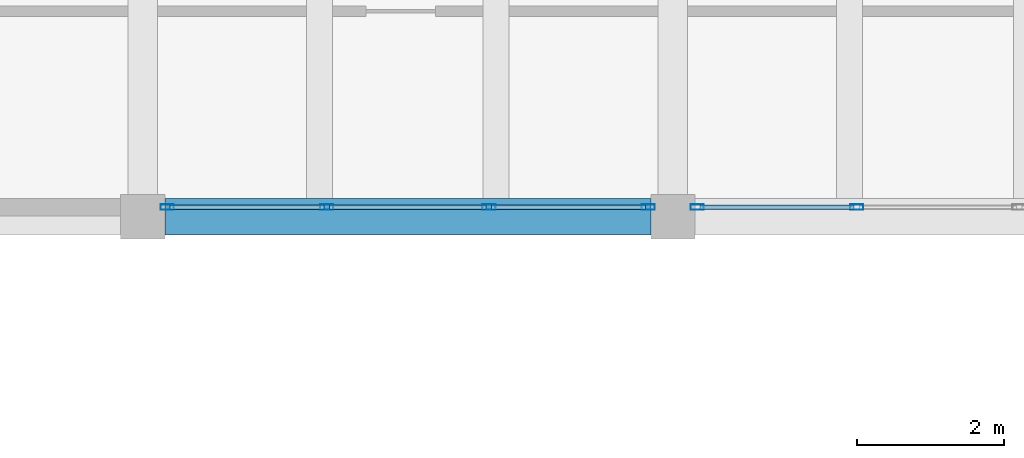
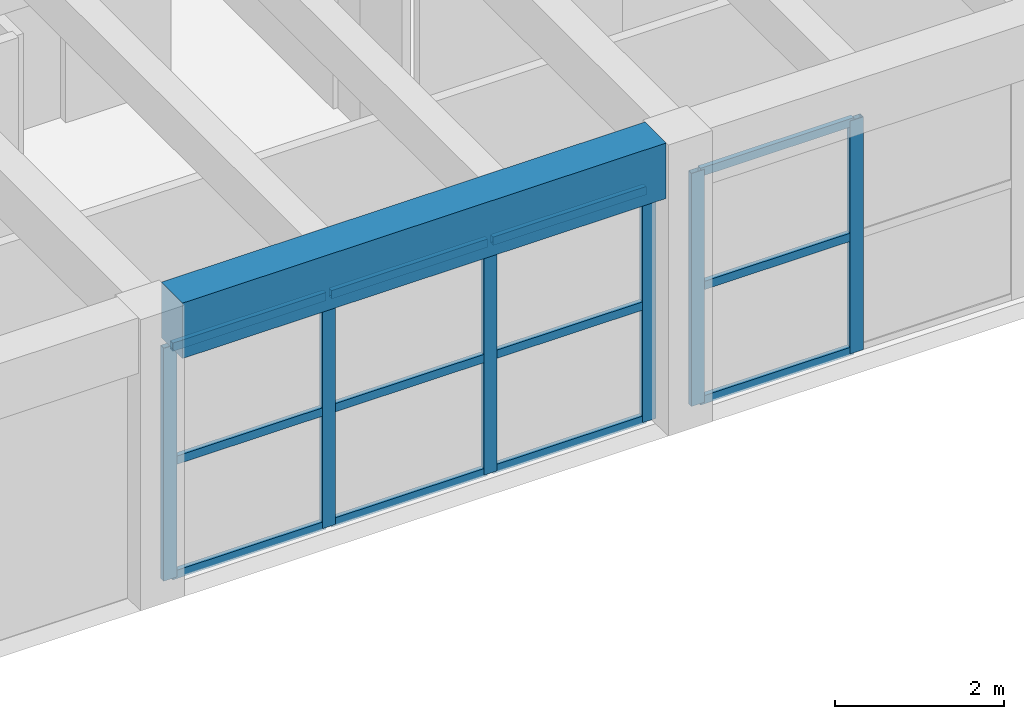
# One storey, part 62 of 153: 18 members, 1 beam, 2 elements without a shape of their own.
"""IFC4 building model written with IfcOpenShell, lengths in metres."""

from ifc_helpers import new_model, si_unit, direction, frame, origin, origin_2d, place, context, subcontext, project, spatial, rectangle, hollow_rectangle, extrude, material, material_profile, profile_set, type_object, element, aggregate, save


model = new_model("IFC4")

# Units and contexts
model_context = context("Model", 3, precision=1e-05, world=origin(), true_north=direction((0.0, 1.0)))
body_context = subcontext(model_context, "Body", "Model", "MODEL_VIEW")
ifc_project = project(units=[si_unit("LENGTHUNIT", "METRE"), si_unit("AREAUNIT", "SQUARE_METRE"), si_unit("VOLUMEUNIT", "CUBIC_METRE"), si_unit("PLANEANGLEUNIT", "RADIAN"), si_unit("MASSUNIT", "GRAM", prefix="KILO")], contexts=[model_context])

# Site, building, storey
site_placement = place(None, origin())
site = spatial("IfcSite", under=ifc_project, at=site_placement, CompositionType="ELEMENT")
building_placement = place(site_placement, origin())
building = spatial("IfcBuilding", under=site, at=building_placement, Name="Bramvelor Terrace Health Centre", CompositionType="ELEMENT")
storey_placement = place(building_placement, frame((0.0, 0.0, 4.800048828125)))
storey = spatial("IfcBuildingStorey", under=building, at=storey_placement, Name="L02", CompositionType="ELEMENT", Elevation=4.800048828125)

# Beam
ifc_material_1 = material(Name="Concrete C40/50", Category="concrete")
ifc_material_profile_1 = material_profile(ifc_material_1, rectangle(XDim=0.5, YDim=0.800048828125, at=origin_2d()), Name="RC 500x800")
ifc_profile_set_1 = profile_set([ifc_material_profile_1], Name="Concrete C40/50")
beam_type = type_object("IfcBeamType", Name="BM-RC-G800", PredefinedType="BEAM", material=ifc_profile_set_1)
beam_placement = place(storey_placement, frame((21.89990234375, 79.199951171875, 3.800048828125), z_axis=(1.0, 0.0, 0.0), x_axis=(0.0, 1.0, 0.0)))
element("IfcBeam", 1, at=beam_placement, inside=storey, type_object=beam_type, Name="L02 Floor Girder", PredefinedType="BEAM", context=body_context, shape_type="SweptSolid", body=[
    extrude(rectangle(XDim=0.5, YDim=0.800048828125, at=origin_2d()), origin(), (0.0, 0.0, 1.0), 6.60009765625),
])

# Curtain wall, members
ifc_material_2 = material(Name="Anodized aluminium and double low-E glass", Category="aluminium")
curtain_wall_type = type_object("IfcCurtainWallType", Name="CW-SYS-12", PredefinedType="NOTDEFINED", material=ifc_material_2)
curtain_wall_1_placement = place(storey_placement, origin())
curtain_wall_1 = element("IfcCurtainWall", 2, at=curtain_wall_1_placement, inside=storey, type_object=curtain_wall_type, Name="L02 Unitized Curtain Wall 73", PredefinedType="NOTDEFINED")
ifc_material_3 = material(Name="Anodized aluminium 6063-T6", Category="aluminium")
ifc_material_profile_2 = material_profile(ifc_material_3, hollow_rectangle(XDim=0.074951171875, YDim=0.179931640625, WallThickness=0.00341796875, at=origin_2d()), Name="ALU-MUL 75x180x3.5")
ifc_profile_set_2 = profile_set([ifc_material_profile_2], Name="Anodized aluminium 6063-T6")
member_type_1 = type_object("IfcMemberType", Name="CW-MUL-65x180", PredefinedType="MULLION", material=ifc_profile_set_2)
member_1_placement = place(storey_placement, frame((31.29833984375, 79.330078125, 0.0), z_axis=(0.0, 0.0, 1.0), x_axis=(0.0, -1.0, 0.0)))
member_1 = element("IfcMember", 3, at=member_1_placement, type_object=member_type_1, Name="CW-12 mullion 3", PredefinedType="MULLION", context=body_context, shape_type="SweptSolid", body=[
    extrude(hollow_rectangle(XDim=0.074951171875, YDim=0.179931640625, WallThickness=0.00341796875, at=origin_2d()), origin(), (0.0, 0.0, 1.0), 3.35986328125),
])
member_2_placement = place(storey_placement, frame((29.132568359375, 79.330078125, 0.0), z_axis=(0.0, 0.0, 1.0), x_axis=(0.0, -1.0, 0.0)))
member_2 = element("IfcMember", 4, at=member_2_placement, type_object=member_type_1, Name="CW-12 mullion 4", PredefinedType="MULLION", context=body_context, shape_type="SweptSolid", body=[
    extrude(hollow_rectangle(XDim=0.074951171875, YDim=0.179931640625, WallThickness=0.00341796875, at=origin_2d()), origin(), (0.0, 0.0, 1.0), 3.35986328125),
])

curtain_wall_2_placement = place(storey_placement, origin())
curtain_wall_2 = element("IfcCurtainWall", 5, at=curtain_wall_2_placement, inside=storey, type_object=curtain_wall_type, Name="L02 Unitized Curtain Wall 74", PredefinedType="NOTDEFINED")
member_3_placement = place(storey_placement, frame((28.467529296875, 79.330078125, 0.0), z_axis=(0.0, 0.0, 1.0), x_axis=(0.0, -1.0, 0.0)))
member_3 = element("IfcMember", 6, at=member_3_placement, type_object=member_type_1, Name="CW-12 mullion 1", PredefinedType="MULLION", context=body_context, shape_type="SweptSolid", body=[
    extrude(hollow_rectangle(XDim=0.074951171875, YDim=0.179931640625, WallThickness=0.00341796875, at=origin_2d()), origin(), (0.0, 0.0, 1.0), 3.35986328125),
])
member_4_placement = place(storey_placement, frame((26.3017578125, 79.330078125, 0.0), z_axis=(0.0, 0.0, 1.0), x_axis=(0.0, -1.0, 0.0)))
member_4 = element("IfcMember", 7, at=member_4_placement, type_object=member_type_1, Name="CW-12 mullion 2", PredefinedType="MULLION", context=body_context, shape_type="SweptSolid", body=[
    extrude(hollow_rectangle(XDim=0.074951171875, YDim=0.179931640625, WallThickness=0.00341796875, at=origin_2d()), origin(), (0.0, 0.0, 1.0), 3.35986328125),
])
member_5_placement = place(storey_placement, frame((24.098388671875, 79.330078125, 0.0), z_axis=(0.0, 0.0, 1.0), x_axis=(0.0, -1.0, 0.0)))
member_5 = element("IfcMember", 8, at=member_5_placement, type_object=member_type_1, Name="CW-12 mullion 3", PredefinedType="MULLION", context=body_context, shape_type="SweptSolid", body=[
    extrude(hollow_rectangle(XDim=0.074951171875, YDim=0.179931640625, WallThickness=0.00341796875, at=origin_2d()), origin(), (0.0, 0.0, 1.0), 3.35986328125),
])
member_6_placement = place(storey_placement, frame((21.9326171875, 79.330078125, 0.0), z_axis=(0.0, 0.0, 1.0), x_axis=(0.0, -1.0, 0.0)))
member_6 = element("IfcMember", 9, at=member_6_placement, type_object=member_type_1, Name="CW-12 mullion 4", PredefinedType="MULLION", context=body_context, shape_type="SweptSolid", body=[
    extrude(hollow_rectangle(XDim=0.074951171875, YDim=0.179931640625, WallThickness=0.00341796875, at=origin_2d()), origin(), (0.0, 0.0, 1.0), 3.35986328125),
])

# Member
ifc_material_4 = material(Name="Anodized aluminium 6063-T6", Category="aluminium")
ifc_material_profile_3 = material_profile(ifc_material_4, hollow_rectangle(XDim=0.06494140625, YDim=0.1201171875, WallThickness=0.0029296875, at=origin_2d()), Name="ALU-TRN 65x120x3.0")
ifc_profile_set_3 = profile_set([ifc_material_profile_3], Name="Anodized aluminium 6063-T6")
member_type_2 = type_object("IfcMemberType", Name="CW-TRN-65x150", PredefinedType="USERDEFINED", material=ifc_profile_set_3)
member_7_placement = place(storey_placement, frame((31.2607421875, 79.330078125, 0.032470703125), z_axis=(-1.0, 0.0, 0.0), x_axis=(0.0, -1.0, 0.0)))
member_7 = element("IfcMember", 10, at=member_7_placement, type_object=member_type_2, Name="CW-12 transom 3.1", ObjectType="TRANSOM", PredefinedType="USERDEFINED", context=body_context, shape_type="SweptSolid", body=[
    extrude(hollow_rectangle(XDim=0.06494140625, YDim=0.1201171875, WallThickness=0.0029296875, at=origin_2d()), origin(), (0.0, 0.0, 1.0), 2.0908203125),
])

member_8_placement = place(storey_placement, frame((31.2607421875, 79.330078125, 1.679931640625), z_axis=(-1.0, 0.0, 0.0), x_axis=(0.0, -1.0, 0.0)))
member_8 = element("IfcMember", 11, at=member_8_placement, type_object=member_type_2, Name="CW-12 transom 3.2", ObjectType="TRANSOM", PredefinedType="USERDEFINED", context=body_context, shape_type="SweptSolid", body=[
    extrude(hollow_rectangle(XDim=0.06494140625, YDim=0.1201171875, WallThickness=0.0029296875, at=origin_2d()), origin(), (0.0, 0.0, 1.0), 2.0908203125),
])

member_9_placement = place(storey_placement, frame((31.2607421875, 79.330078125, 3.327392578125), z_axis=(-1.0, 0.0, 0.0), x_axis=(0.0, -1.0, 0.0)))
member_9 = element("IfcMember", 12, at=member_9_placement, type_object=member_type_2, Name="CW-12 transom 3.3", ObjectType="TRANSOM", PredefinedType="USERDEFINED", context=body_context, shape_type="SweptSolid", body=[
    extrude(hollow_rectangle(XDim=0.06494140625, YDim=0.1201171875, WallThickness=0.0029296875, at=origin_2d()), origin(), (0.0, 0.0, 1.0), 2.0908203125),
])

aggregate(curtain_wall_1, [member_1, member_2, member_7, member_8, member_9])

member_10_placement = place(storey_placement, frame((28.429931640625, 79.330078125, 0.032470703125), z_axis=(-1.0, 0.0, 0.0), x_axis=(0.0, -1.0, 0.0)))
member_10 = element("IfcMember", 13, at=member_10_placement, type_object=member_type_2, Name="CW-12 transom 1.1", ObjectType="TRANSOM", PredefinedType="USERDEFINED", context=body_context, shape_type="SweptSolid", body=[
    extrude(hollow_rectangle(XDim=0.06494140625, YDim=0.1201171875, WallThickness=0.0029296875, at=origin_2d()), origin(), (0.0, 0.0, 1.0), 2.0908203125),
])

member_11_placement = place(storey_placement, frame((28.429931640625, 79.330078125, 1.679931640625), z_axis=(-1.0, 0.0, 0.0), x_axis=(0.0, -1.0, 0.0)))
member_11 = element("IfcMember", 14, at=member_11_placement, type_object=member_type_2, Name="CW-12 transom 1.2", ObjectType="TRANSOM", PredefinedType="USERDEFINED", context=body_context, shape_type="SweptSolid", body=[
    extrude(hollow_rectangle(XDim=0.06494140625, YDim=0.1201171875, WallThickness=0.0029296875, at=origin_2d()), origin(), (0.0, 0.0, 1.0), 2.0908203125),
])

member_12_placement = place(storey_placement, frame((28.429931640625, 79.330078125, 3.327392578125), z_axis=(-1.0, 0.0, 0.0), x_axis=(0.0, -1.0, 0.0)))
member_12 = element("IfcMember", 15, at=member_12_placement, type_object=member_type_2, Name="CW-12 transom 1.3", ObjectType="TRANSOM", PredefinedType="USERDEFINED", context=body_context, shape_type="SweptSolid", body=[
    extrude(hollow_rectangle(XDim=0.06494140625, YDim=0.1201171875, WallThickness=0.0029296875, at=origin_2d()), origin(), (0.0, 0.0, 1.0), 2.0908203125),
])

member_13_placement = place(storey_placement, frame((26.26416015625, 79.330078125, 0.032470703125), z_axis=(-1.0, 0.0, 0.0), x_axis=(0.0, -1.0, 0.0)))
member_13 = element("IfcMember", 16, at=member_13_placement, type_object=member_type_2, Name="CW-12 transom 2.1", ObjectType="TRANSOM", PredefinedType="USERDEFINED", context=body_context, shape_type="SweptSolid", body=[
    extrude(hollow_rectangle(XDim=0.06494140625, YDim=0.1201171875, WallThickness=0.0029296875, at=origin_2d()), origin(), (0.0, 0.0, 1.0), 2.12841796875),
])

member_14_placement = place(storey_placement, frame((26.26416015625, 79.330078125, 1.679931640625), z_axis=(-1.0, 0.0, 0.0), x_axis=(0.0, -1.0, 0.0)))
member_14 = element("IfcMember", 17, at=member_14_placement, type_object=member_type_2, Name="CW-12 transom 2.2", ObjectType="TRANSOM", PredefinedType="USERDEFINED", context=body_context, shape_type="SweptSolid", body=[
    extrude(hollow_rectangle(XDim=0.06494140625, YDim=0.1201171875, WallThickness=0.0029296875, at=origin_2d()), origin(), (0.0, 0.0, 1.0), 2.12841796875),
])

member_15_placement = place(storey_placement, frame((26.26416015625, 79.330078125, 3.327392578125), z_axis=(-1.0, 0.0, 0.0), x_axis=(0.0, -1.0, 0.0)))
member_15 = element("IfcMember", 18, at=member_15_placement, type_object=member_type_2, Name="CW-12 transom 2.3", ObjectType="TRANSOM", PredefinedType="USERDEFINED", context=body_context, shape_type="SweptSolid", body=[
    extrude(hollow_rectangle(XDim=0.06494140625, YDim=0.1201171875, WallThickness=0.0029296875, at=origin_2d()), origin(), (0.0, 0.0, 1.0), 2.12841796875),
])

member_16_placement = place(storey_placement, frame((24.060791015625, 79.330078125, 0.032470703125), z_axis=(-1.0, 0.0, 0.0), x_axis=(0.0, -1.0, 0.0)))
member_16 = element("IfcMember", 19, at=member_16_placement, type_object=member_type_2, Name="CW-12 transom 3.1", ObjectType="TRANSOM", PredefinedType="USERDEFINED", context=body_context, shape_type="SweptSolid", body=[
    extrude(hollow_rectangle(XDim=0.06494140625, YDim=0.1201171875, WallThickness=0.0029296875, at=origin_2d()), origin(), (0.0, 0.0, 1.0), 2.0908203125),
])

member_17_placement = place(storey_placement, frame((24.060791015625, 79.330078125, 1.679931640625), z_axis=(-1.0, 0.0, 0.0), x_axis=(0.0, -1.0, 0.0)))
member_17 = element("IfcMember", 20, at=member_17_placement, type_object=member_type_2, Name="CW-12 transom 3.2", ObjectType="TRANSOM", PredefinedType="USERDEFINED", context=body_context, shape_type="SweptSolid", body=[
    extrude(hollow_rectangle(XDim=0.06494140625, YDim=0.1201171875, WallThickness=0.0029296875, at=origin_2d()), origin(), (0.0, 0.0, 1.0), 2.0908203125),
])

member_18_placement = place(storey_placement, frame((24.060791015625, 79.330078125, 3.327392578125), z_axis=(-1.0, 0.0, 0.0), x_axis=(0.0, -1.0, 0.0)))
member_18 = element("IfcMember", 21, at=member_18_placement, type_object=member_type_2, Name="CW-12 transom 3.3", ObjectType="TRANSOM", PredefinedType="USERDEFINED", context=body_context, shape_type="SweptSolid", body=[
    extrude(hollow_rectangle(XDim=0.06494140625, YDim=0.1201171875, WallThickness=0.0029296875, at=origin_2d()), origin(), (0.0, 0.0, 1.0), 2.0908203125),
])

aggregate(curtain_wall_2, [member_3, member_4, member_5, member_6, member_10, member_11, member_12, member_13, member_14, member_15, member_16, member_17, member_18])

save(model, "model.ifc")
